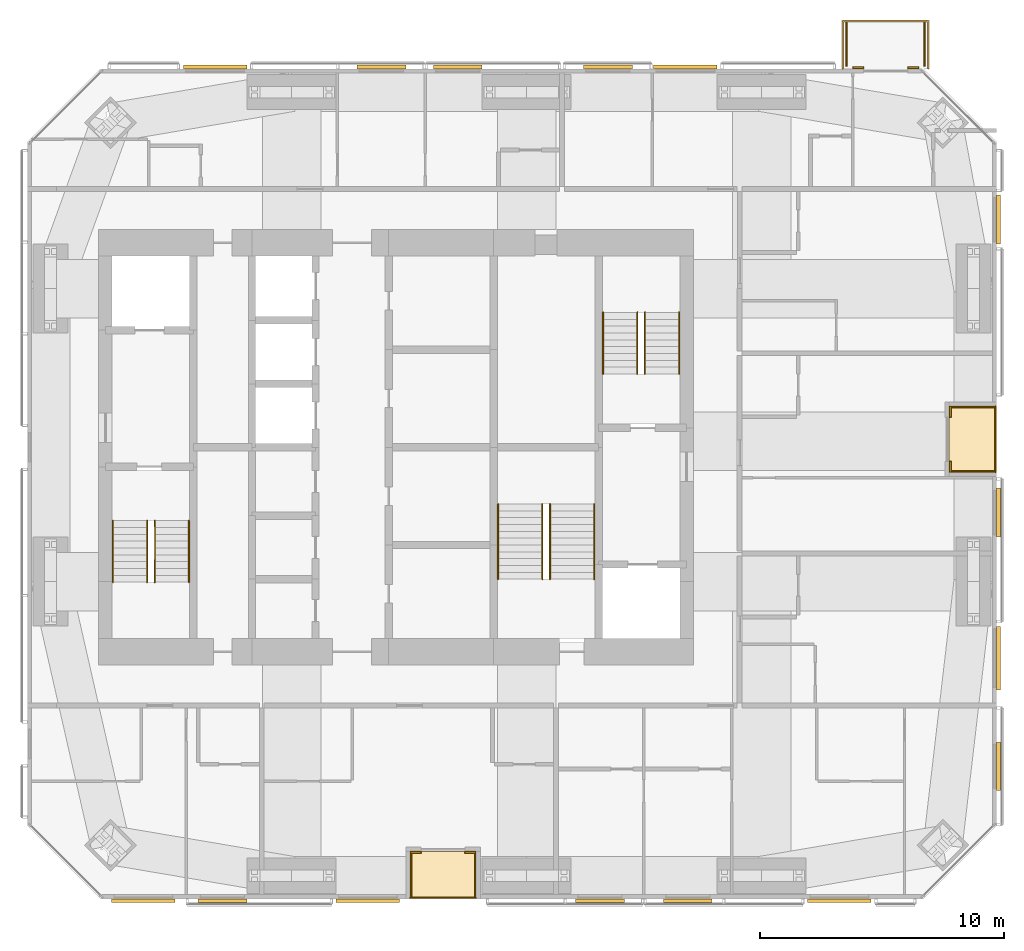
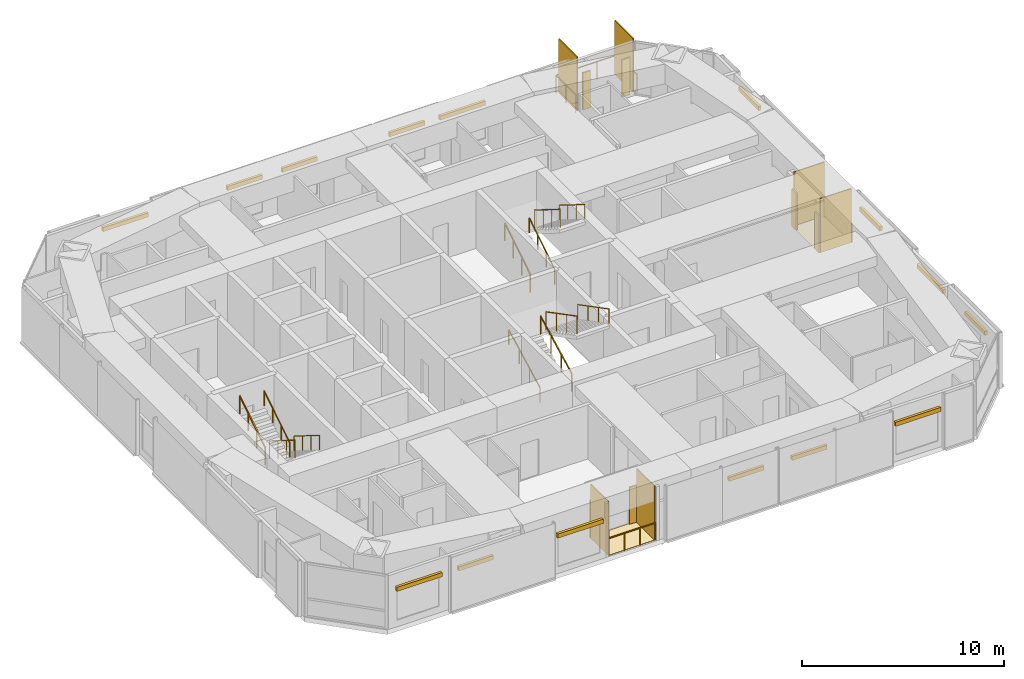
# One storey, part 19 of 19: 27 shading devices, 15 railings, 2 coverings.
"""IFC4 building model written with IfcOpenShell, lengths in metres."""

from ifc_helpers import new_model, si_unit, direction, frame, origin, origin_2d, place, context, subcontext, project, spatial, polyline, rectangle, circle, outline, extrude, material, layer, layer_set, constituent, constituent_set, type_object, element, save


model = new_model("IFC4")

# Units and contexts
model_context = context("Model", 3, precision=1e-05, world=origin(), true_north=direction((0.0, 1.0)))
body_context = subcontext(model_context, "Body", "Model", "MODEL_VIEW")
ifc_project = project(units=[si_unit("LENGTHUNIT", "METRE"), si_unit("AREAUNIT", "SQUARE_METRE"), si_unit("VOLUMEUNIT", "CUBIC_METRE"), si_unit("PLANEANGLEUNIT", "RADIAN"), si_unit("MASSUNIT", "GRAM", prefix="KILO")], contexts=[model_context])

# Site, building, storey
site_placement = place(None, origin())
site = spatial("IfcSite", under=ifc_project, at=site_placement, CompositionType="ELEMENT")
building_placement = place(site_placement, origin())
building = spatial("IfcBuilding", under=site, at=building_placement, Name="Jalousie Tower", CompositionType="ELEMENT")
storey_placement = place(building_placement, frame((0.0, 0.0, 217.949951171875)))
storey = spatial("IfcBuildingStorey", under=building, at=storey_placement, Name="L59", CompositionType="ELEMENT", Elevation=217.949951171875)

# Shading devices
ifc_material_1 = material(Name="Aluminium impact-rated louvred storm shutter", Category="aluminium")
shading_device_type_1 = type_object("IfcShadingDeviceType", Name="BI-FOLD STORM SHUTTER 900x2250", PredefinedType="SHUTTER", material=ifc_material_1)
for number, where, z_axis, x_axis, name in (
    (1, (32.699951171875, 1.909912109375, 0.0), (0.0, 0.0, 1.0), (1.0, 0.0, 0.0), "Loggia storm shutter L59"),
    (2, (34.949951171875, 1.909912109375, 0.0), (0.0, 0.0, 1.0), (1.0, 0.0, 0.0), "Loggia storm shutter L59"),
    (3, (54.590087890625, 17.699951171875, 0.0), (0.0, 0.0, 1.0), (0.0, 1.0, 0.0), "Loggia storm shutter L59"),
    (4, (54.590087890625, 19.949951171875, 0.0), (0.0, 0.0, 1.0), (0.0, 1.0, 0.0), "Loggia storm shutter L59"),
    (5, (53.07373046875, 34.0400390625, 0.0), (0.0, 0.0, 1.0), (-1.0, 0.0, 0.0), "Balcony storm shutter L59"),
    (6, (50.82373046875, 34.0400390625, 0.0), (0.0, 0.0, 1.0), (-1.0, 0.0, 0.0), "Balcony storm shutter L59"),
):
    element("IfcShadingDevice", number, at=place(storey_placement, frame(where, z_axis=z_axis, x_axis=x_axis)), inside=storey, type_object=shading_device_type_1, Name=name, PredefinedType="SHUTTER", context=body_context, shape_type="SweptSolid", body=[
        extrude(rectangle(XDim=0.449951171875, YDim=0.080078125, at=origin_2d()), origin(), (0.0, 0.0, 1.0), 2.25),
    ])

# Railings
ifc_material_2 = material(Name="Powder-coated aluminium fretwork", Category="aluminium")
railing_type_1 = type_object("IfcRailingType", Name="FRETWORK BALUSTRADE 1100", PredefinedType="BALUSTRADE", material=ifc_material_2)
railing_1_placement = place(storey_placement, frame((32.47509765625, 0.050048828125, 0.0)))
element("IfcRailing", 7, at=railing_1_placement, inside=storey, type_object=railing_type_1, Name="Loggia fretwork balustrade L59", PredefinedType="BALUSTRADE", context=body_context, shape_type="SweptSolid", body=[
    extrude(rectangle(XDim=0.048095703125, YDim=0.048095703125, at=origin_2d()), frame((0.0, 0.0, 1.076171875), z_axis=(1.0, 0.0, 0.0), x_axis=(0.0, 1.0, 0.0)), (0.0, 0.0, 1.0), 2.699951171875),
    extrude(circle(Radius=0.02099609375, at=origin_2d()), origin(), (0.0, 0.0, 1.0), 1.052001953125),
    extrude(circle(Radius=0.02099609375, at=origin_2d()), frame((0.89990234375, 0.0, 0.0)), (0.0, 0.0, 1.0), 1.052001953125),
    extrude(circle(Radius=0.02099609375, at=origin_2d()), frame((1.800048828125, 0.0, 0.0)), (0.0, 0.0, 1.0), 1.052001953125),
    extrude(circle(Radius=0.02099609375, at=origin_2d()), frame((2.699951171875, 0.0, 0.0)), (0.0, 0.0, 1.0), 1.052001953125),
])
railing_2_placement = place(storey_placement, frame((56.449951171875, 17.47509765625, 0.0)))
element("IfcRailing", 8, at=railing_2_placement, inside=storey, type_object=railing_type_1, Name="Loggia fretwork balustrade L59", PredefinedType="BALUSTRADE", context=body_context, shape_type="SweptSolid", body=[
    extrude(rectangle(XDim=0.048095703125, YDim=0.048095703125, at=origin_2d()), frame((0.0, 0.0, 1.076171875), z_axis=(0.0, 1.0, 0.0), x_axis=(-1.0, 0.0, 0.0)), (0.0, 0.0, 1.0), 2.699951171875),
    extrude(circle(Radius=0.02099609375, at=origin_2d()), origin(), (0.0, 0.0, 1.0), 1.052001953125),
    extrude(circle(Radius=0.02099609375, at=origin_2d()), frame((0.0, 0.89990234375, 0.0)), (0.0, 0.0, 1.0), 1.052001953125),
    extrude(circle(Radius=0.02099609375, at=origin_2d()), frame((0.0, 1.800048828125, 0.0)), (0.0, 0.0, 1.0), 1.052001953125),
    extrude(circle(Radius=0.02099609375, at=origin_2d()), frame((0.0, 2.699951171875, 0.0)), (0.0, 0.0, 1.0), 1.052001953125),
])
railing_3_placement = place(storey_placement, frame((53.69873046875, 34.0, 0.0)))
element("IfcRailing", 9, at=railing_3_placement, inside=storey, type_object=railing_type_1, Name="Balcony fretwork balustrade L59", PredefinedType="BALUSTRADE", context=body_context, shape_type="SweptSolid", body=[
    extrude(rectangle(XDim=0.048095703125, YDim=0.048095703125, at=origin_2d()), frame((0.0, 0.0, 1.076171875), z_axis=(0.0, 1.0, 0.0), x_axis=(-1.0, 0.0, 0.0)), (0.0, 0.0, 1.0), 1.949951171875),
    extrude(rectangle(XDim=0.048095703125, YDim=0.048095703125, at=origin_2d()), frame((0.0, 1.949951171875, 1.076171875), z_axis=(-1.0, 0.0, 0.0), x_axis=(0.0, -1.0, 0.0)), (0.0, 0.0, 1.0), 3.5),
    extrude(rectangle(XDim=0.048095703125, YDim=0.048095703125, at=origin_2d()), frame((-3.5, 1.949951171875, 1.076171875), z_axis=(0.0, -1.0, 0.0), x_axis=(1.0, 0.0, 0.0)), (0.0, 0.0, 1.0), 1.949951171875),
    extrude(circle(Radius=0.02099609375, at=origin_2d()), origin(), (0.0, 0.0, 1.0), 1.052001953125),
    extrude(circle(Radius=0.02099609375, at=origin_2d()), frame((0.0, 0.97509765625, 0.0)), (0.0, 0.0, 1.0), 1.052001953125),
    extrude(circle(Radius=0.02099609375, at=origin_2d()), frame((0.0, 1.949951171875, 0.0)), (0.0, 0.0, 1.0), 1.052001953125),
    extrude(circle(Radius=0.02099609375, at=origin_2d()), frame((-1.166748046875, 1.949951171875, 0.0)), (0.0, 0.0, 1.0), 1.052001953125),
    extrude(circle(Radius=0.02099609375, at=origin_2d()), frame((-2.333251953125, 1.949951171875, 0.0)), (0.0, 0.0, 1.0), 1.052001953125),
    extrude(circle(Radius=0.02099609375, at=origin_2d()), frame((-3.5, 1.949951171875, 0.0)), (0.0, 0.0, 1.0), 1.052001953125),
    extrude(circle(Radius=0.02099609375, at=origin_2d()), frame((-3.5, 0.97509765625, 0.0)), (0.0, 0.0, 1.0), 1.052001953125),
    extrude(circle(Radius=0.02099609375, at=origin_2d()), frame((-3.5, 0.0, 0.0)), (0.0, 0.0, 1.0), 1.052001953125),
])

# Shading devices
ifc_material_3 = material(Name="Powder-coated aluminium louvres", Category="aluminium")
ifc_layer_1 = layer(ifc_material_3, 0.06005859375)
ifc_layer_set_1 = layer_set([ifc_layer_1], Name="Powder-coated aluminium louvres")
shading_device_type_2 = type_object("IfcShadingDeviceType", Name="JALOUSIE LOUVRE SCREEN", PredefinedType="JALOUSIE", material=ifc_layer_set_1)
for number, where, z_axis, x_axis, name in (
    (10, (32.5048828125, 0.97509765625, 0.0), (0.0, 0.0, 1.0), (1.0, 0.0, 0.0), "Loggia jalousie louvre screen L59"),
    (11, (35.14501953125, 0.97509765625, 0.0), (0.0, 0.0, 1.0), (1.0, 0.0, 0.0), "Loggia jalousie louvre screen L59"),
    (12, (55.52490234375, 17.5048828125, 0.0), (0.0, 0.0, 1.0), (0.0, 1.0, 0.0), "Loggia jalousie louvre screen L59"),
    (13, (55.52490234375, 20.14501953125, 0.0), (0.0, 0.0, 1.0), (0.0, 1.0, 0.0), "Loggia jalousie louvre screen L59"),
):
    element("IfcShadingDevice", number, at=place(storey_placement, frame(where, z_axis=z_axis, x_axis=x_axis)), inside=storey, type_object=shading_device_type_2, Name=name, PredefinedType="JALOUSIE", context=body_context, shape_type="SweptSolid", body=[
        extrude(rectangle(XDim=0.06005859375, YDim=1.75, at=origin_2d()), origin(), (0.0, 0.0, 1.0), 3.260009765625),
    ])
for number, where, z_axis, x_axis, name in (
    (14, (53.548583984375, 35.0, 0.0), (0.0, 0.0, 1.0), (-1.0, 0.0, 0.0), "Jalousie louvre screen L59"),
    (15, (50.3486328125, 35.0, 0.0), (0.0, 0.0, 1.0), (-1.0, 0.0, 0.0), "Jalousie louvre screen L59"),
):
    element("IfcShadingDevice", number, at=place(storey_placement, frame(where, z_axis=z_axis, x_axis=x_axis)), inside=storey, type_object=shading_device_type_2, Name=name, PredefinedType="JALOUSIE", context=body_context, shape_type="SweptSolid", body=[
        extrude(rectangle(XDim=0.06005859375, YDim=1.800048828125, at=origin_2d()), origin(), (0.0, 0.0, 1.0), 3.260009765625),
    ])

# Railings
ifc_material_4 = material(Name="Steel ASTM A500 Grade C", Category="steel")
ifc_constituent_1 = constituent(ifc_material_4, Name="Body")
ifc_material_5 = material(Name="Hot-dip galvanised zinc coating")
ifc_constituent_2 = constituent(ifc_material_5, Name="Finish")
ifc_constituent_set_1 = constituent_set(constituents=[ifc_constituent_1, ifc_constituent_2])
railing_type_2 = type_object("IfcRailingType", Name="STAIR GUARD 1100", PredefinedType="GUARDRAIL", material=ifc_constituent_set_1)
railing_4_placement = place(storey_placement, frame((22.017578125, 15.49755859375, 0.175048828125)))
element("IfcRailing", 16, at=railing_4_placement, inside=storey, type_object=railing_type_2, Name="Exit stair A guard L59 flight 1", PredefinedType="GUARDRAIL", context=body_context, shape_type="SweptSolid", body=[
    extrude(rectangle(XDim=0.048095703125, YDim=0.048095703125, at=origin_2d()), frame((0.0, 0.0, 1.076171875), z_axis=(0.0, -0.848007534815, 0.529984170421), x_axis=(1.0, 0.0, 0.0)), (0.0, 0.0, 1.0), 2.9716796875),
    extrude(circle(Radius=0.02099609375, at=origin_2d()), origin(), (0.0, 0.0, 1.0), 1.052001953125),
    extrude(circle(Radius=0.02099609375, at=origin_2d()), frame((0.0, -0.840087890625, 0.52490234375)), (0.0, 0.0, 1.0), 1.052001953125),
    extrude(circle(Radius=0.02099609375, at=origin_2d()), frame((0.0, -1.679931640625, 1.050048828125)), (0.0, 0.0, 1.0), 1.052001953125),
    extrude(circle(Radius=0.02099609375, at=origin_2d()), frame((0.0, -2.52001953125, 1.574951171875)), (0.0, 0.0, 1.0), 1.052001953125),
])
for number, where, name in (
    (17, (20.304931640625, 12.9775390625, 1.925048828125), "Exit stair A guard L59 flight 2"),
    (18, (40.3798828125, 21.50244140625, 0.175048828125), "Exit stair B guard L59 flight 1"),
):
    element("IfcRailing", number, at=place(storey_placement, frame(where)), inside=storey, type_object=railing_type_2, Name=name, PredefinedType="GUARDRAIL", context=body_context, shape_type="SweptSolid", body=[
        extrude(rectangle(XDim=0.048095703125, YDim=0.048095703125, at=origin_2d()), frame((0.0, 0.0, 1.076171875), z_axis=(0.0, 0.848007534815, 0.529984170421), x_axis=(-1.0, 0.0, 0.0)), (0.0, 0.0, 1.0), 2.9716796875),
        extrude(circle(Radius=0.02099609375, at=origin_2d()), origin(), (0.0, 0.0, 1.0), 1.052001953125),
        extrude(circle(Radius=0.02099609375, at=origin_2d()), frame((0.0, 0.840087890625, 0.52490234375)), (0.0, 0.0, 1.0), 1.052001953125),
        extrude(circle(Radius=0.02099609375, at=origin_2d()), frame((0.0, 1.679931640625, 1.050048828125)), (0.0, 0.0, 1.0), 1.052001953125),
        extrude(circle(Radius=0.02099609375, at=origin_2d()), frame((0.0, 2.52001953125, 1.574951171875)), (0.0, 0.0, 1.0), 1.052001953125),
    ])
railing_5_placement = place(storey_placement, frame((42.092529296875, 24.0224609375, 1.925048828125)))
element("IfcRailing", 19, at=railing_5_placement, inside=storey, type_object=railing_type_2, Name="Exit stair B guard L59 flight 2", PredefinedType="GUARDRAIL", context=body_context, shape_type="SweptSolid", body=[
    extrude(rectangle(XDim=0.048095703125, YDim=0.048095703125, at=origin_2d()), frame((0.0, 0.0, 1.076171875), z_axis=(0.0, -0.848007534815, 0.529984170421), x_axis=(1.0, 0.0, 0.0)), (0.0, 0.0, 1.0), 2.9716796875),
    extrude(circle(Radius=0.02099609375, at=origin_2d()), origin(), (0.0, 0.0, 1.0), 1.052001953125),
    extrude(circle(Radius=0.02099609375, at=origin_2d()), frame((0.0, -0.840087890625, 0.52490234375)), (0.0, 0.0, 1.0), 1.052001953125),
    extrude(circle(Radius=0.02099609375, at=origin_2d()), frame((0.0, -1.679931640625, 1.050048828125)), (0.0, 0.0, 1.0), 1.052001953125),
    extrude(circle(Radius=0.02099609375, at=origin_2d()), frame((0.0, -2.52001953125, 1.574951171875)), (0.0, 0.0, 1.0), 1.052001953125),
])
railing_6_placement = place(storey_placement, frame((37.89501953125, 13.097412109375, 0.145751953125)))
element("IfcRailing", 20, at=railing_6_placement, inside=storey, type_object=railing_type_2, Name="Exit stair C guard L59 flight 1", PredefinedType="GUARDRAIL", context=body_context, shape_type="SweptSolid", body=[
    extrude(rectangle(XDim=0.048095703125, YDim=0.048095703125, at=origin_2d()), frame((0.0, 0.0, 1.076171875), z_axis=(0.0, 0.886909283822, 0.461943635383), x_axis=(-1.0, 0.0, 0.0)), (0.0, 0.0, 1.0), 3.472900390625),
    extrude(circle(Radius=0.02099609375, at=origin_2d()), origin(), (0.0, 0.0, 1.0), 1.052001953125),
    extrude(circle(Radius=0.02099609375, at=origin_2d()), frame((0.0, 1.026611328125, 0.53466796875)), (0.0, 0.0, 1.0), 1.052001953125),
    extrude(circle(Radius=0.02099609375, at=origin_2d()), frame((0.0, 2.053466796875, 1.069580078125)), (0.0, 0.0, 1.0), 1.052001953125),
    extrude(circle(Radius=0.02099609375, at=origin_2d()), frame((0.0, 3.080078125, 1.604248046875)), (0.0, 0.0, 1.0), 1.052001953125),
])
railing_7_placement = place(storey_placement, frame((38.205078125, 16.177490234375, 1.895751953125)))
element("IfcRailing", 21, at=railing_7_placement, inside=storey, type_object=railing_type_2, Name="Exit stair C guard L59 flight 2", PredefinedType="GUARDRAIL", context=body_context, shape_type="SweptSolid", body=[
    extrude(rectangle(XDim=0.048095703125, YDim=0.048095703125, at=origin_2d()), frame((0.0, 0.0, 1.076171875), z_axis=(0.0, -0.886909283822, 0.461943635383), x_axis=(1.0, 0.0, 0.0)), (0.0, 0.0, 1.0), 3.472900390625),
    extrude(circle(Radius=0.02099609375, at=origin_2d()), origin(), (0.0, 0.0, 1.0), 1.052001953125),
    extrude(circle(Radius=0.02099609375, at=origin_2d()), frame((0.0, -1.026611328125, 0.53466796875)), (0.0, 0.0, 1.0), 1.052001953125),
    extrude(circle(Radius=0.02099609375, at=origin_2d()), frame((0.0, -2.053466796875, 1.069580078125)), (0.0, 0.0, 1.0), 1.052001953125),
    extrude(circle(Radius=0.02099609375, at=origin_2d()), frame((0.0, -3.080078125, 1.604248046875)), (0.0, 0.0, 1.0), 1.052001953125),
])
ifc_material_6 = material(Name="Steel ASTM A500 Grade C", Category="steel")
ifc_constituent_3 = constituent(ifc_material_6, Name="Body")
ifc_material_7 = material(Name="Hot-dip galvanised zinc coating")
ifc_constituent_4 = constituent(ifc_material_7, Name="Finish")
ifc_constituent_set_2 = constituent_set(constituents=[ifc_constituent_3, ifc_constituent_4])
railing_type_3 = type_object("IfcRailingType", Name="STAIR HANDRAIL 900", PredefinedType="HANDRAIL", material=ifc_constituent_set_2)
railing_8_placement = place(storey_placement, frame((23.420166015625, 15.49755859375, 0.175048828125)))
element("IfcRailing", 22, at=railing_8_placement, inside=storey, type_object=railing_type_3, Name="Exit stair A handrail L59 flight 1", PredefinedType="HANDRAIL", context=body_context, shape_type="SweptSolid", body=[
    extrude(circle(Radius=0.02392578125, at=origin_2d()), frame((0.0, 0.0, 0.8759765625), z_axis=(0.0, -0.848007534815, 0.529984170421), x_axis=(1.0, 0.0, 0.0)), (0.0, 0.0, 1.0), 2.9716796875),
    extrude(circle(Radius=0.02099609375, at=origin_2d()), origin(), (0.0, 0.0, 1.0), 0.851806640625),
    extrude(circle(Radius=0.02099609375, at=origin_2d()), frame((0.0, -0.840087890625, 0.52490234375)), (0.0, 0.0, 1.0), 0.851806640625),
    extrude(circle(Radius=0.02099609375, at=origin_2d()), frame((0.0, -1.679931640625, 1.050048828125)), (0.0, 0.0, 1.0), 0.851806640625),
    extrude(circle(Radius=0.02099609375, at=origin_2d()), frame((0.0, -2.52001953125, 1.574951171875)), (0.0, 0.0, 1.0), 0.851806640625),
])
for number, where, name in (
    (23, (21.70751953125, 12.9775390625, 1.925048828125), "Exit stair A handrail L59 flight 2"),
    (24, (41.782470703125, 21.50244140625, 0.175048828125), "Exit stair B handrail L59 flight 1"),
):
    element("IfcRailing", number, at=place(storey_placement, frame(where)), inside=storey, type_object=railing_type_3, Name=name, PredefinedType="HANDRAIL", context=body_context, shape_type="SweptSolid", body=[
        extrude(circle(Radius=0.02392578125, at=origin_2d()), frame((0.0, 0.0, 0.8759765625), z_axis=(0.0, 0.848007534815, 0.529984170421), x_axis=(-1.0, 0.0, 0.0)), (0.0, 0.0, 1.0), 2.9716796875),
        extrude(circle(Radius=0.02099609375, at=origin_2d()), origin(), (0.0, 0.0, 1.0), 0.851806640625),
        extrude(circle(Radius=0.02099609375, at=origin_2d()), frame((0.0, 0.840087890625, 0.52490234375)), (0.0, 0.0, 1.0), 0.851806640625),
        extrude(circle(Radius=0.02099609375, at=origin_2d()), frame((0.0, 1.679931640625, 1.050048828125)), (0.0, 0.0, 1.0), 0.851806640625),
        extrude(circle(Radius=0.02099609375, at=origin_2d()), frame((0.0, 2.52001953125, 1.574951171875)), (0.0, 0.0, 1.0), 0.851806640625),
    ])
railing_9_placement = place(storey_placement, frame((43.4951171875, 24.0224609375, 1.925048828125)))
element("IfcRailing", 25, at=railing_9_placement, inside=storey, type_object=railing_type_3, Name="Exit stair B handrail L59 flight 2", PredefinedType="HANDRAIL", context=body_context, shape_type="SweptSolid", body=[
    extrude(circle(Radius=0.02392578125, at=origin_2d()), frame((0.0, 0.0, 0.8759765625), z_axis=(0.0, -0.848007534815, 0.529984170421), x_axis=(1.0, 0.0, 0.0)), (0.0, 0.0, 1.0), 2.9716796875),
    extrude(circle(Radius=0.02099609375, at=origin_2d()), origin(), (0.0, 0.0, 1.0), 0.851806640625),
    extrude(circle(Radius=0.02099609375, at=origin_2d()), frame((0.0, -0.840087890625, 0.52490234375)), (0.0, 0.0, 1.0), 0.851806640625),
    extrude(circle(Radius=0.02099609375, at=origin_2d()), frame((0.0, -1.679931640625, 1.050048828125)), (0.0, 0.0, 1.0), 0.851806640625),
    extrude(circle(Radius=0.02099609375, at=origin_2d()), frame((0.0, -2.52001953125, 1.574951171875)), (0.0, 0.0, 1.0), 0.851806640625),
])
railing_10_placement = place(storey_placement, frame((36.080078125, 13.097412109375, 0.145751953125)))
element("IfcRailing", 26, at=railing_10_placement, inside=storey, type_object=railing_type_3, Name="Exit stair C handrail L59 flight 1", PredefinedType="HANDRAIL", context=body_context, shape_type="SweptSolid", body=[
    extrude(circle(Radius=0.02392578125, at=origin_2d()), frame((0.0, 0.0, 0.8759765625), z_axis=(0.0, 0.886909283822, 0.461943635383), x_axis=(-1.0, 0.0, 0.0)), (0.0, 0.0, 1.0), 3.472900390625),
    extrude(circle(Radius=0.02099609375, at=origin_2d()), origin(), (0.0, 0.0, 1.0), 0.851806640625),
    extrude(circle(Radius=0.02099609375, at=origin_2d()), frame((0.0, 1.026611328125, 0.53466796875)), (0.0, 0.0, 1.0), 0.851806640625),
    extrude(circle(Radius=0.02099609375, at=origin_2d()), frame((0.0, 2.053466796875, 1.069580078125)), (0.0, 0.0, 1.0), 0.851806640625),
    extrude(circle(Radius=0.02099609375, at=origin_2d()), frame((0.0, 3.080078125, 1.604248046875)), (0.0, 0.0, 1.0), 0.851806640625),
])
railing_11_placement = place(storey_placement, frame((40.02001953125, 16.177490234375, 1.895751953125)))
element("IfcRailing", 27, at=railing_11_placement, inside=storey, type_object=railing_type_3, Name="Exit stair C handrail L59 flight 2", PredefinedType="HANDRAIL", context=body_context, shape_type="SweptSolid", body=[
    extrude(circle(Radius=0.02392578125, at=origin_2d()), frame((0.0, 0.0, 0.8759765625), z_axis=(0.0, -0.886909283822, 0.461943635383), x_axis=(1.0, 0.0, 0.0)), (0.0, 0.0, 1.0), 3.472900390625),
    extrude(circle(Radius=0.02099609375, at=origin_2d()), origin(), (0.0, 0.0, 1.0), 0.851806640625),
    extrude(circle(Radius=0.02099609375, at=origin_2d()), frame((0.0, -1.026611328125, 0.53466796875)), (0.0, 0.0, 1.0), 0.851806640625),
    extrude(circle(Radius=0.02099609375, at=origin_2d()), frame((0.0, -2.053466796875, 1.069580078125)), (0.0, 0.0, 1.0), 0.851806640625),
    extrude(circle(Radius=0.02099609375, at=origin_2d()), frame((0.0, -3.080078125, 1.604248046875)), (0.0, 0.0, 1.0), 0.851806640625),
])

# Shading devices
ifc_material_8 = material(Name="Aluminium roller storm shutter", Category="aluminium")
shading_device_type_3 = type_object("IfcShadingDeviceType", Name="STORM SHUTTER HOUSING", PredefinedType="SHUTTER", material=ifc_material_8)
shading_device_1_placement = place(storey_placement, frame((21.550537109375, -0.074951171875, 2.25), z_axis=(0.0, 0.0, 1.0), x_axis=(1.0, 0.0, 0.0)))
element("IfcShadingDevice", 28, at=shading_device_1_placement, inside=storey, type_object=shading_device_type_3, Name="Storm shutter L59", PredefinedType="SHUTTER", context=body_context, shape_type="SweptSolid", body=[
    extrude(rectangle(XDim=2.60009765625, YDim=0.14990234375, at=origin_2d()), origin(), (0.0, 0.0, 1.0), 0.25),
])
shading_device_2_placement = place(storey_placement, frame((24.791259765625, -0.074951171875, 2.25), z_axis=(0.0, 0.0, 1.0), x_axis=(1.0, 0.0, 0.0)))
element("IfcShadingDevice", 29, at=shading_device_2_placement, inside=storey, type_object=shading_device_type_3, Name="Storm shutter L59", PredefinedType="SHUTTER", context=body_context, shape_type="SweptSolid", body=[
    extrude(rectangle(XDim=2.0, YDim=0.14990234375, at=origin_2d()), origin(), (0.0, 0.0, 1.0), 0.25),
])
shading_device_3_placement = place(storey_placement, frame((30.75, -0.074951171875, 2.25), z_axis=(0.0, 0.0, 1.0), x_axis=(1.0, 0.0, 0.0)))
element("IfcShadingDevice", 30, at=shading_device_3_placement, inside=storey, type_object=shading_device_type_3, Name="Storm shutter L59", PredefinedType="SHUTTER", context=body_context, shape_type="SweptSolid", body=[
    extrude(rectangle(XDim=2.60009765625, YDim=0.14990234375, at=origin_2d()), origin(), (0.0, 0.0, 1.0), 0.25),
])
for number, where, z_axis, x_axis, name in (
    (31, (40.25, -0.074951171875, 2.25), (0.0, 0.0, 1.0), (1.0, 0.0, 0.0), "Storm shutter L59"),
    (32, (43.85009765625, -0.074951171875, 2.25), (0.0, 0.0, 1.0), (1.0, 0.0, 0.0), "Storm shutter L59"),
):
    element("IfcShadingDevice", number, at=place(storey_placement, frame(where, z_axis=z_axis, x_axis=x_axis)), inside=storey, type_object=shading_device_type_3, Name=name, PredefinedType="SHUTTER", context=body_context, shape_type="SweptSolid", body=[
        extrude(rectangle(XDim=2.0, YDim=0.14990234375, at=origin_2d()), origin(), (0.0, 0.0, 1.0), 0.25),
    ])
shading_device_4_placement = place(storey_placement, frame((50.059326171875, -0.074951171875, 2.25), z_axis=(0.0, 0.0, 1.0), x_axis=(1.0, 0.0, 0.0)))
element("IfcShadingDevice", 33, at=shading_device_4_placement, inside=storey, type_object=shading_device_type_3, Name="Storm shutter L59", PredefinedType="SHUTTER", context=body_context, shape_type="SweptSolid", body=[
    extrude(rectangle(XDim=2.60009765625, YDim=0.14990234375, at=origin_2d()), origin(), (0.0, 0.0, 1.0), 0.25),
])
shading_device_5_placement = place(storey_placement, frame((56.574951171875, 5.43798828125, 2.25), z_axis=(0.0, 0.0, 1.0), x_axis=(0.0, 1.0, 0.0)))
element("IfcShadingDevice", 34, at=shading_device_5_placement, inside=storey, type_object=shading_device_type_3, Name="Storm shutter L59", PredefinedType="SHUTTER", context=body_context, shape_type="SweptSolid", body=[
    extrude(rectangle(XDim=2.0, YDim=0.14990234375, at=origin_2d()), origin(), (0.0, 0.0, 1.0), 0.25),
])
shading_device_6_placement = place(storey_placement, frame((56.574951171875, 9.867431640625, 2.25), z_axis=(0.0, 0.0, 1.0), x_axis=(0.0, 1.0, 0.0)))
element("IfcShadingDevice", 35, at=shading_device_6_placement, inside=storey, type_object=shading_device_type_3, Name="Storm shutter L59", PredefinedType="SHUTTER", context=body_context, shape_type="SweptSolid", body=[
    extrude(rectangle(XDim=2.60009765625, YDim=0.14990234375, at=origin_2d()), origin(), (0.0, 0.0, 1.0), 0.25),
])
for number, where, z_axis, x_axis, name in (
    (36, (56.574951171875, 15.826171875, 2.25), (0.0, 0.0, 1.0), (0.0, 1.0, 0.0), "Storm shutter L59"),
    (37, (56.574951171875, 27.824951171875, 2.25), (0.0, 0.0, 1.0), (0.0, 1.0, 0.0), "Storm shutter L59"),
):
    element("IfcShadingDevice", number, at=place(storey_placement, frame(where, z_axis=z_axis, x_axis=x_axis)), inside=storey, type_object=shading_device_type_3, Name=name, PredefinedType="SHUTTER", context=body_context, shape_type="SweptSolid", body=[
        extrude(rectangle(XDim=2.0, YDim=0.14990234375, at=origin_2d()), origin(), (0.0, 0.0, 1.0), 0.25),
    ])
shading_device_7_placement = place(storey_placement, frame((43.75, 34.074951171875, 2.25), z_axis=(0.0, 0.0, 1.0), x_axis=(-1.0, 0.0, 0.0)))
element("IfcShadingDevice", 38, at=shading_device_7_placement, inside=storey, type_object=shading_device_type_3, Name="Storm shutter L59", PredefinedType="SHUTTER", context=body_context, shape_type="SweptSolid", body=[
    extrude(rectangle(XDim=2.60009765625, YDim=0.14990234375, at=origin_2d()), origin(), (0.0, 0.0, 1.0), 0.25),
])
for number, where, z_axis, x_axis, name in (
    (39, (40.574951171875, 34.074951171875, 2.25), (0.0, 0.0, 1.0), (-1.0, 0.0, 0.0), "Storm shutter L59"),
    (40, (34.425048828125, 34.074951171875, 2.25), (0.0, 0.0, 1.0), (-1.0, 0.0, 0.0), "Storm shutter L59"),
    (41, (31.300048828125, 34.074951171875, 2.25), (0.0, 0.0, 1.0), (-1.0, 0.0, 0.0), "Storm shutter L59"),
):
    element("IfcShadingDevice", number, at=place(storey_placement, frame(where, z_axis=z_axis, x_axis=x_axis)), inside=storey, type_object=shading_device_type_3, Name=name, PredefinedType="SHUTTER", context=body_context, shape_type="SweptSolid", body=[
        extrude(rectangle(XDim=2.0, YDim=0.14990234375, at=origin_2d()), origin(), (0.0, 0.0, 1.0), 0.25),
    ])
shading_device_8_placement = place(storey_placement, frame((24.48828125, 34.074951171875, 2.25), z_axis=(0.0, 0.0, 1.0), x_axis=(-1.0, 0.0, 0.0)))
element("IfcShadingDevice", 42, at=shading_device_8_placement, inside=storey, type_object=shading_device_type_3, Name="Storm shutter L59", PredefinedType="SHUTTER", context=body_context, shape_type="SweptSolid", body=[
    extrude(rectangle(XDim=2.60009765625, YDim=0.14990234375, at=origin_2d()), origin(), (0.0, 0.0, 1.0), 0.25),
])

# Coverings
ifc_material_9 = material(Name="Porcelain paving on adjustable pedestals", Category="masonry")
ifc_layer_2 = layer(ifc_material_9, 0.02001953125)
ifc_layer_set_2 = layer_set([ifc_layer_2], Name="Porcelain paving on adjustable pedestals")
covering_type = type_object("IfcCoveringType", Name="TERRACE PAVING 20", PredefinedType="FLOORING", material=ifc_layer_set_2)
covering_1_placement = place(storey_placement, origin())
element("IfcCovering", 43, at=covering_1_placement, inside=storey, type_object=covering_type, Name="Apartment 5902 terrace paving", PredefinedType="FLOORING", context=body_context, shape_type="SweptSolid", body=[
    extrude(outline(polyline([(32.47509765625, 0.080078125), (35.175048828125, 0.080078125), (35.175048828125, 1.949951171875), (32.47509765625, 1.949951171875), (32.47509765625, 0.080078125)])), origin(), (0.0, 0.0, 1.0), 0.02001953125),
])
covering_2_placement = place(storey_placement, origin())
element("IfcCovering", 44, at=covering_2_placement, inside=storey, type_object=covering_type, Name="Apartment 5907 terrace paving", PredefinedType="FLOORING", context=body_context, shape_type="SweptSolid", body=[
    extrude(outline(polyline([(56.419921875, 17.47509765625), (56.419921875, 20.175048828125), (54.550048828125, 20.175048828125), (54.550048828125, 17.47509765625), (56.419921875, 17.47509765625)])), origin(), (0.0, 0.0, 1.0), 0.02001953125),
])

save(model, "model.ifc")
